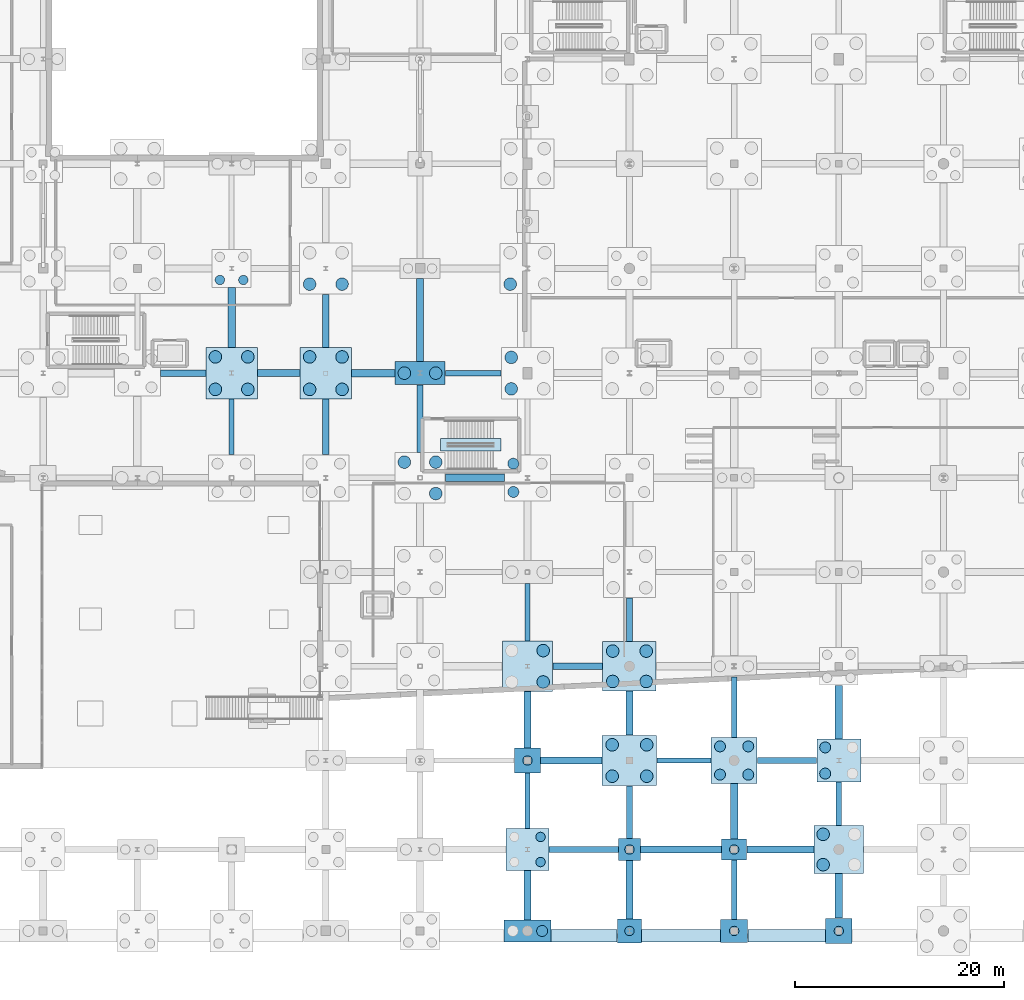
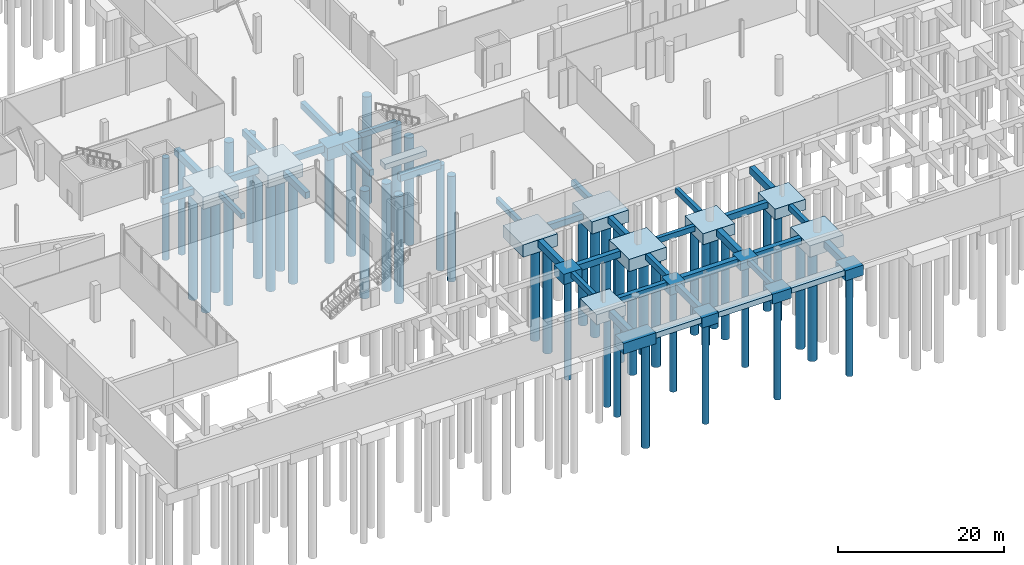
# One storey, part 3 of 60: 53 footings, 49 piles.
"""IFC4 building model written with IfcOpenShell, lengths in metres."""

from ifc_helpers import new_model, si_unit, direction, frame, origin, origin_2d, place, context, subcontext, project, spatial, rectangle, circle, extrude, material, material_profile, profile_set, type_object, element, save


model = new_model("IFC4")

# Units and contexts
model_context = context("Model", 3, precision=1e-05, world=origin(), true_north=direction((0.0, 1.0)))
body_context = subcontext(model_context, "Body", "Model", "MODEL_VIEW")
ifc_project = project(units=[si_unit("LENGTHUNIT", "METRE"), si_unit("AREAUNIT", "SQUARE_METRE"), si_unit("VOLUMEUNIT", "CUBIC_METRE"), si_unit("PLANEANGLEUNIT", "RADIAN"), si_unit("MASSUNIT", "GRAM", prefix="KILO")], contexts=[model_context])

# Site, building, storey
site_placement = place(None, origin())
site = spatial("IfcSite", under=ifc_project, at=site_placement, CompositionType="ELEMENT")
building_placement = place(site_placement, origin())
building = spatial("IfcBuilding", under=site, at=building_placement, Name="Trimount Lyric Opera House", CompositionType="ELEMENT")
storey_placement = place(building_placement, frame((0.0, 0.0, -5.39990234375)))
storey = spatial("IfcBuildingStorey", under=building, at=storey_placement, Name="B1", CompositionType="ELEMENT", Elevation=-5.39990234375)

# Footings
ifc_material_1 = material(Name="Concrete C40/50", Category="concrete")
footing_type_1 = type_object("IfcFootingType", Name="FB-01", PredefinedType="FOOTING_BEAM", material=ifc_material_1)
footing_1_placement = place(storey_placement, frame((36.0, 59.324951171875, -1.60009765625), z_axis=(0.0, 0.0, 1.0), x_axis=(1.0, 0.0, 0.0)))
element("IfcFooting", 1, at=footing_1_placement, inside=storey, type_object=footing_type_1, Name="Ground tie beam Y-0084", PredefinedType="FOOTING_BEAM", context=body_context, shape_type="SweptSolid", body=[
    extrude(rectangle(XDim=0.699951171875, YDim=5.719970703125, at=origin_2d()), origin(), (0.0, 0.0, 1.0), 1.0),
])
footing_2_placement = place(storey_placement, frame((49.52490234375, 54.0, -1.60009765625), z_axis=(0.0, 0.0, 1.0), x_axis=(1.0, 0.0, 0.0)))
element("IfcFooting", 2, at=footing_2_placement, inside=storey, type_object=footing_type_1, Name="Ground tie beam X-0104", PredefinedType="FOOTING_BEAM", context=body_context, shape_type="SweptSolid", body=[
    extrude(rectangle(XDim=4.1201171875, YDim=0.699951171875, at=origin_2d()), origin(), (0.0, 0.0, 1.0), 1.0),
])
footing_3_placement = place(storey_placement, frame((59.22998046875, 44.0, -1.60009765625), z_axis=(0.0, 0.0, 1.0), x_axis=(1.0, 0.0, 0.0)))
element("IfcFooting", 3, at=footing_3_placement, inside=storey, type_object=footing_type_1, Name="Ground tie beam X-0128", PredefinedType="FOOTING_BEAM", context=body_context, shape_type="SweptSolid", body=[
    extrude(rectangle(XDim=5.6298828125, YDim=0.699951171875, at=origin_2d()), origin(), (0.0, 0.0, 1.0), 1.0),
])
footing_4_placement = place(storey_placement, frame((64.260009765625, 4.135009765625, -1.60009765625), z_axis=(0.0, 0.0, 1.0), x_axis=(1.0, 0.0, 0.0)))
element("IfcFooting", 4, at=footing_4_placement, inside=storey, type_object=footing_type_1, Name="Ground tie beam Y-0144", PredefinedType="FOOTING_BEAM", context=body_context, shape_type="SweptSolid", body=[
    extrude(rectangle(XDim=0.699951171875, YDim=4.699951171875, at=origin_2d()), origin(), (0.0, 0.0, 1.0), 1.0),
])
footing_5_placement = place(storey_placement, frame((64.260009765625, 20.89990234375, -1.60009765625), z_axis=(0.0, 0.0, 1.0), x_axis=(1.0, 0.0, 0.0)))
element("IfcFooting", 5, at=footing_5_placement, inside=storey, type_object=footing_type_1, Name="Ground tie beam Y-0148", PredefinedType="FOOTING_BEAM", context=body_context, shape_type="SweptSolid", body=[
    extrude(rectangle(XDim=0.699951171875, YDim=5.3701171875, at=origin_2d()), origin(), (0.0, 0.0, 1.0), 1.0),
])
footing_6_placement = place(storey_placement, frame((78.925048828125, 8.5, -1.60009765625), z_axis=(0.0, 0.0, 1.0), x_axis=(1.0, 0.0, 0.0)))
element("IfcFooting", 6, at=footing_6_placement, inside=storey, type_object=footing_type_1, Name="Ground tie beam X-0168", PredefinedType="FOOTING_BEAM", context=body_context, shape_type="SweptSolid", body=[
    extrude(rectangle(XDim=7.719970703125, YDim=0.699951171875, at=origin_2d()), origin(), (0.0, 0.0, 1.0), 1.0),
])
footing_7_placement = place(storey_placement, frame((84.0, 12.14990234375, -1.60009765625), z_axis=(0.0, 0.0, 1.0), x_axis=(1.0, 0.0, 0.0)))
element("IfcFooting", 7, at=footing_7_placement, inside=storey, type_object=footing_type_1, Name="Ground tie beam Y-0192", PredefinedType="FOOTING_BEAM", context=body_context, shape_type="SweptSolid", body=[
    extrude(rectangle(XDim=0.699951171875, YDim=5.27001953125, at=origin_2d()), origin(), (0.0, 0.0, 1.0), 1.0),
])
footing_8_placement = place(storey_placement, frame((94.0, 4.06005859375, -1.60009765625), z_axis=(0.0, 0.0, 1.0), x_axis=(1.0, 0.0, 0.0)))
element("IfcFooting", 8, at=footing_8_placement, inside=storey, type_object=footing_type_1, Name="Ground tie beam Y-0216", PredefinedType="FOOTING_BEAM", context=body_context, shape_type="SweptSolid", body=[
    extrude(rectangle(XDim=0.699951171875, YDim=4.25, at=origin_2d()), origin(), (0.0, 0.0, 1.0), 1.0),
])
footing_9_placement = place(storey_placement, frame((94.0, 21.625, -1.60009765625), z_axis=(0.0, 0.0, 1.0), x_axis=(1.0, 0.0, 0.0)))
element("IfcFooting", 9, at=footing_9_placement, inside=storey, type_object=footing_type_1, Name="Ground tie beam Y-0220", PredefinedType="FOOTING_BEAM", context=body_context, shape_type="SweptSolid", body=[
    extrude(rectangle(XDim=0.699951171875, YDim=5.1201171875, at=origin_2d()), origin(), (0.0, 0.0, 1.0), 1.0),
])
ifc_material_2 = material(Name="Concrete C40/50", Category="concrete")
footing_type_2 = type_object("IfcFootingType", Name="FB-02", PredefinedType="FOOTING_BEAM", material=ifc_material_2)
footing_10_placement = place(storey_placement, frame((31.375, 54.0, -1.5), z_axis=(0.0, 0.0, 1.0), x_axis=(1.0, 0.0, 0.0)))
element("IfcFooting", 10, at=footing_10_placement, inside=storey, type_object=footing_type_2, Name="Ground tie beam X-0069", PredefinedType="FOOTING_BEAM", context=body_context, shape_type="SweptSolid", body=[
    extrude(rectangle(XDim=4.320068359375, YDim=0.60009765625, at=origin_2d()), origin(), (0.0, 0.0, 1.0), 0.89990234375),
])
footing_11_placement = place(storey_placement, frame((45.0, 59.0, -1.5), z_axis=(0.0, 0.0, 1.0), x_axis=(1.0, 0.0, 0.0)))
element("IfcFooting", 11, at=footing_11_placement, inside=storey, type_object=footing_type_2, Name="Ground tie beam Y-0105", PredefinedType="FOOTING_BEAM", context=body_context, shape_type="SweptSolid", body=[
    extrude(rectangle(XDim=0.60009765625, YDim=5.070068359375, at=origin_2d()), origin(), (0.0, 0.0, 1.0), 0.89990234375),
])
footing_12_placement = place(storey_placement, frame((54.0, 49.64990234375, -1.5), z_axis=(0.0, 0.0, 1.0), x_axis=(1.0, 0.0, 0.0)))
element("IfcFooting", 12, at=footing_12_placement, inside=storey, type_object=footing_type_2, Name="Ground tie beam Y-0129", PredefinedType="FOOTING_BEAM", context=body_context, shape_type="SweptSolid", body=[
    extrude(rectangle(XDim=0.60009765625, YDim=6.469970703125, at=origin_2d()), origin(), (0.0, 0.0, 1.0), 0.89990234375),
])
footing_13_placement = place(storey_placement, frame((69.6298828125, 8.5, -1.5), z_axis=(0.0, 0.0, 1.0), x_axis=(1.0, 0.0, 0.0)))
element("IfcFooting", 13, at=footing_13_placement, inside=storey, type_object=footing_type_2, Name="Ground tie beam X-0145", PredefinedType="FOOTING_BEAM", context=body_context, shape_type="SweptSolid", body=[
    extrude(rectangle(XDim=6.610107421875, YDim=0.60009765625, at=origin_2d()), origin(), (0.0, 0.0, 1.0), 0.89990234375),
])
footing_14_placement = place(storey_placement, frame((69.054931640625, 26.0, -1.5), z_axis=(0.0, 0.0, 1.0), x_axis=(1.0, 0.0, 0.0)))
element("IfcFooting", 14, at=footing_14_placement, inside=storey, type_object=footing_type_2, Name="Ground tie beam X-0149", PredefinedType="FOOTING_BEAM", context=body_context, shape_type="SweptSolid", body=[
    extrude(rectangle(XDim=4.760009765625, YDim=0.60009765625, at=origin_2d()), origin(), (0.0, 0.0, 1.0), 0.89990234375),
])
footing_15_placement = place(storey_placement, frame((74.0, 12.074951171875, -1.5), z_axis=(0.0, 0.0, 1.0), x_axis=(1.0, 0.0, 0.0)))
element("IfcFooting", 15, at=footing_15_placement, inside=storey, type_object=footing_type_2, Name="Ground tie beam Y-0169", PredefinedType="FOOTING_BEAM", context=body_context, shape_type="SweptSolid", body=[
    extrude(rectangle(XDim=0.60009765625, YDim=5.02001953125, at=origin_2d()), origin(), (0.0, 0.0, 1.0), 0.89990234375),
])
footing_16_placement = place(storey_placement, frame((74.0, 30.449951171875, -1.5), z_axis=(0.0, 0.0, 1.0), x_axis=(1.0, 0.0, 0.0)))
element("IfcFooting", 16, at=footing_16_placement, inside=storey, type_object=footing_type_2, Name="Ground tie beam Y-0173", PredefinedType="FOOTING_BEAM", context=body_context, shape_type="SweptSolid", body=[
    extrude(rectangle(XDim=0.60009765625, YDim=4.169921875, at=origin_2d()), origin(), (0.0, 0.0, 1.0), 0.89990234375),
])
footing_17_placement = place(storey_placement, frame((89.050048828125, 17.0, -1.5), z_axis=(0.0, 0.0, 1.0), x_axis=(1.0, 0.0, 0.0)))
element("IfcFooting", 17, at=footing_17_placement, inside=storey, type_object=footing_type_2, Name="Ground tie beam X-0193", PredefinedType="FOOTING_BEAM", context=body_context, shape_type="SweptSolid", body=[
    extrude(rectangle(XDim=5.669921875, YDim=0.60009765625, at=origin_2d()), origin(), (0.0, 0.0, 1.0), 0.89990234375),
])
ifc_material_3 = material(Name="Concrete C40/50", Category="concrete")
footing_type_3 = type_object("IfcFootingType", Name="FB-03", PredefinedType="FOOTING_BEAM", material=ifc_material_3)
footing_18_placement = place(storey_placement, frame((36.0, 48.875, -1.39990234375), z_axis=(0.0, 0.0, 1.0), x_axis=(1.0, 0.0, 0.0)))
element("IfcFooting", 18, at=footing_18_placement, inside=storey, type_object=footing_type_3, Name="Ground tie beam Y-0082", PredefinedType="FOOTING_BEAM", context=body_context, shape_type="SweptSolid", body=[
    extrude(rectangle(XDim=0.5, YDim=5.320068359375, at=origin_2d()), origin(), (0.0, 0.0, 1.0), 0.800048828125),
])
footing_19_placement = place(storey_placement, frame((59.080078125, 54.0, -1.39990234375), z_axis=(0.0, 0.0, 1.0), x_axis=(1.0, 0.0, 0.0)))
element("IfcFooting", 19, at=footing_19_placement, inside=storey, type_object=footing_type_3, Name="Ground tie beam X-0130", PredefinedType="FOOTING_BEAM", context=body_context, shape_type="SweptSolid", body=[
    extrude(rectangle(XDim=5.330078125, YDim=0.5, at=origin_2d()), origin(), (0.0, 0.0, 1.0), 0.800048828125),
])
footing_20_placement = place(storey_placement, frame((64.260009765625, 13.14990234375, -1.39990234375), z_axis=(0.0, 0.0, 1.0), x_axis=(1.0, 0.0, 0.0)))
element("IfcFooting", 20, at=footing_20_placement, inside=storey, type_object=footing_type_3, Name="Ground tie beam Y-0146", PredefinedType="FOOTING_BEAM", context=body_context, shape_type="SweptSolid", body=[
    extrude(rectangle(XDim=0.5, YDim=5.27001953125, at=origin_2d()), origin(), (0.0, 0.0, 1.0), 0.800048828125),
])
footing_21_placement = place(storey_placement, frame((64.260009765625, 31.14990234375, -1.39990234375), z_axis=(0.0, 0.0, 1.0), x_axis=(1.0, 0.0, 0.0)))
element("IfcFooting", 21, at=footing_21_placement, inside=storey, type_object=footing_type_3, Name="Ground tie beam Y-0150", PredefinedType="FOOTING_BEAM", context=body_context, shape_type="SweptSolid", body=[
    extrude(rectangle(XDim=0.5, YDim=5.469970703125, at=origin_2d()), origin(), (0.0, 0.0, 1.0), 0.800048828125),
])
footing_22_placement = place(storey_placement, frame((79.199951171875, 17.0, -1.39990234375), z_axis=(0.0, 0.0, 1.0), x_axis=(1.0, 0.0, 0.0)))
element("IfcFooting", 22, at=footing_22_placement, inside=storey, type_object=footing_type_3, Name="Ground tie beam X-0170", PredefinedType="FOOTING_BEAM", context=body_context, shape_type="SweptSolid", body=[
    extrude(rectangle(XDim=5.169921875, YDim=0.5, at=origin_2d()), origin(), (0.0, 0.0, 1.0), 0.800048828125),
])
footing_23_placement = place(storey_placement, frame((84.0, 4.659912109375, -1.39990234375), z_axis=(0.0, 0.0, 1.0), x_axis=(1.0, 0.0, 0.0)))
element("IfcFooting", 23, at=footing_23_placement, inside=storey, type_object=footing_type_3, Name="Ground tie beam Y-0190", PredefinedType="FOOTING_BEAM", context=body_context, shape_type="SweptSolid", body=[
    extrude(rectangle(XDim=0.5, YDim=5.64990234375, at=origin_2d()), origin(), (0.0, 0.0, 1.0), 0.800048828125),
])
footing_24_placement = place(storey_placement, frame((84.0, 22.10009765625, -1.39990234375), z_axis=(0.0, 0.0, 1.0), x_axis=(1.0, 0.0, 0.0)))
element("IfcFooting", 24, at=footing_24_placement, inside=storey, type_object=footing_type_3, Name="Ground tie beam Y-0194", PredefinedType="FOOTING_BEAM", context=body_context, shape_type="SweptSolid", body=[
    extrude(rectangle(XDim=0.5, YDim=5.77001953125, at=origin_2d()), origin(), (0.0, 0.0, 1.0), 0.800048828125),
])
footing_25_placement = place(storey_placement, frame((94.0, 12.875, -1.39990234375), z_axis=(0.0, 0.0, 1.0), x_axis=(1.0, 0.0, 0.0)))
element("IfcFooting", 25, at=footing_25_placement, inside=storey, type_object=footing_type_3, Name="Ground tie beam Y-0218", PredefinedType="FOOTING_BEAM", context=body_context, shape_type="SweptSolid", body=[
    extrude(rectangle(XDim=0.5, YDim=4.1201171875, at=origin_2d()), origin(), (0.0, 0.0, 1.0), 0.800048828125),
])
ifc_material_4 = material(Name="Concrete C40/50", Category="concrete")
footing_type_4 = type_object("IfcFootingType", Name="FB-04", PredefinedType="FOOTING_BEAM", material=ifc_material_4)
footing_26_placement = place(storey_placement, frame((40.5, 54.0, -1.55029296875), z_axis=(0.0, 0.0, 1.0), x_axis=(1.0, 0.0, 0.0)))
element("IfcFooting", 26, at=footing_26_placement, inside=storey, type_object=footing_type_4, Name="Ground tie beam X-0083", PredefinedType="FOOTING_BEAM", context=body_context, shape_type="SweptSolid", body=[
    extrude(rectangle(XDim=4.070068359375, YDim=0.64990234375, at=origin_2d()), origin(), (0.0, 0.0, 1.0), 0.949951171875),
])
footing_27_placement = place(storey_placement, frame((45.0, 48.875, -1.55029296875), z_axis=(0.0, 0.0, 1.0), x_axis=(1.0, 0.0, 0.0)))
element("IfcFooting", 27, at=footing_27_placement, inside=storey, type_object=footing_type_4, Name="Ground tie beam Y-0103", PredefinedType="FOOTING_BEAM", context=body_context, shape_type="SweptSolid", body=[
    extrude(rectangle(XDim=0.64990234375, YDim=5.320068359375, at=origin_2d()), origin(), (0.0, 0.0, 1.0), 0.949951171875),
])
footing_28_placement = place(storey_placement, frame((54.0, 59.074951171875, -1.55029296875), z_axis=(0.0, 0.0, 1.0), x_axis=(1.0, 0.0, 0.0)))
element("IfcFooting", 28, at=footing_28_placement, inside=storey, type_object=footing_type_4, Name="Ground tie beam Y-0131", PredefinedType="FOOTING_BEAM", context=body_context, shape_type="SweptSolid", body=[
    extrude(rectangle(XDim=0.64990234375, YDim=7.919921875, at=origin_2d()), origin(), (0.0, 0.0, 1.0), 0.949951171875),
])
footing_29_placement = place(storey_placement, frame((68.455078125, 17.0, -1.55029296875), z_axis=(0.0, 0.0, 1.0), x_axis=(1.0, 0.0, 0.0)))
element("IfcFooting", 29, at=footing_29_placement, inside=storey, type_object=footing_type_4, Name="Ground tie beam X-0147", PredefinedType="FOOTING_BEAM", context=body_context, shape_type="SweptSolid", body=[
    extrude(rectangle(XDim=5.860107421875, YDim=0.64990234375, at=origin_2d()), origin(), (0.0, 0.0, 1.0), 0.949951171875),
])
footing_30_placement = place(storey_placement, frame((74.0, 4.659912109375, -1.55029296875), z_axis=(0.0, 0.0, 1.0), x_axis=(1.0, 0.0, 0.0)))
element("IfcFooting", 30, at=footing_30_placement, inside=storey, type_object=footing_type_4, Name="Ground tie beam Y-0167", PredefinedType="FOOTING_BEAM", context=body_context, shape_type="SweptSolid", body=[
    extrude(rectangle(XDim=0.64990234375, YDim=5.550048828125, at=origin_2d()), origin(), (0.0, 0.0, 1.0), 0.949951171875),
])
footing_31_placement = place(storey_placement, frame((74.0, 21.52490234375, -1.55029296875), z_axis=(0.0, 0.0, 1.0), x_axis=(1.0, 0.0, 0.0)))
element("IfcFooting", 31, at=footing_31_placement, inside=storey, type_object=footing_type_4, Name="Ground tie beam Y-0171", PredefinedType="FOOTING_BEAM", context=body_context, shape_type="SweptSolid", body=[
    extrude(rectangle(XDim=0.64990234375, YDim=4.219970703125, at=origin_2d()), origin(), (0.0, 0.0, 1.0), 0.949951171875),
])
footing_32_placement = place(storey_placement, frame((88.425048828125, 8.5, -1.55029296875), z_axis=(0.0, 0.0, 1.0), x_axis=(1.0, 0.0, 0.0)))
element("IfcFooting", 32, at=footing_32_placement, inside=storey, type_object=footing_type_4, Name="Ground tie beam X-0191", PredefinedType="FOOTING_BEAM", context=body_context, shape_type="SweptSolid", body=[
    extrude(rectangle(XDim=6.419921875, YDim=0.64990234375, at=origin_2d()), origin(), (0.0, 0.0, 1.0), 0.949951171875),
])
ifc_material_5 = material(Name="Concrete C40/50", Category="concrete")
footing_type_5 = type_object("IfcFootingType", Name="PC-01", PredefinedType="PILE_CAP", material=ifc_material_5)
for number, where, z_axis, x_axis, name in (
    (33, (36.0, 54.0, -2.39990234375), (0.0, 0.0, 1.0), (1.0, 0.0, 0.0), "Pile cap 5/G"),
    (34, (45.0, 54.0, -2.39990234375), (0.0, 0.0, 1.0), (1.0, 0.0, 0.0), "Pile cap 6/G"),
):
    element("IfcFooting", number, at=place(storey_placement, frame(where, z_axis=z_axis, x_axis=x_axis)), inside=storey, type_object=footing_type_5, Name=name, PredefinedType="PILE_CAP", context=body_context, shape_type="SweptSolid", body=[
        extrude(rectangle(XDim=4.89990234375, YDim=4.89990234375, at=origin_2d()), origin(), (0.0, 0.0, 1.0), 1.800048828125),
    ])
ifc_material_6 = material(Name="Concrete C40/50", Category="concrete")
footing_type_6 = type_object("IfcFootingType", Name="PC-02", PredefinedType="PILE_CAP", material=ifc_material_6)
footing_33_placement = place(storey_placement, frame((64.260009765625, 26.0, -2.39990234375), z_axis=(0.0, 0.0, 1.0), x_axis=(1.0, 0.0, 0.0)))
element("IfcFooting", 35, at=footing_33_placement, inside=storey, type_object=footing_type_6, Name="Pile cap 8/D", PredefinedType="PILE_CAP", context=body_context, shape_type="SweptSolid", body=[
    extrude(rectangle(XDim=4.800048828125, YDim=4.800048828125, at=origin_2d()), origin(), (0.0, 0.0, 1.0), 1.800048828125),
])
ifc_material_7 = material(Name="Concrete C40/50", Category="concrete")
footing_type_7 = type_object("IfcFootingType", Name="PC-03", PredefinedType="PILE_CAP", material=ifc_material_7)
footing_34_placement = place(storey_placement, frame((54.0, 54.0, -2.39990234375), z_axis=(0.0, 0.0, 1.0), x_axis=(1.0, 0.0, 0.0)))
element("IfcFooting", 36, at=footing_34_placement, inside=storey, type_object=footing_type_7, Name="Pile cap 7/G", PredefinedType="PILE_CAP", context=body_context, shape_type="SweptSolid", body=[
    extrude(rectangle(XDim=4.800048828125, YDim=2.199951171875, at=origin_2d()), origin(), (0.0, 0.0, 1.0), 1.800048828125),
])
ifc_material_8 = material(Name="Concrete C40/50", Category="concrete")
footing_type_8 = type_object("IfcFootingType", Name="PC-04", PredefinedType="PILE_CAP", material=ifc_material_8)
footing_35_placement = place(storey_placement, frame((84.0, 17.0, -2.2001953125), z_axis=(0.0, 0.0, 1.0), x_axis=(1.0, 0.0, 0.0)))
element("IfcFooting", 37, at=footing_35_placement, inside=storey, type_object=footing_type_8, Name="Pile cap 10/C", PredefinedType="PILE_CAP", context=body_context, shape_type="SweptSolid", body=[
    extrude(rectangle(XDim=4.39990234375, YDim=4.39990234375, at=origin_2d()), origin(), (0.0, 0.0, 1.0), 1.60009765625),
])
ifc_material_9 = material(Name="Concrete C40/50", Category="concrete")
footing_type_9 = type_object("IfcFootingType", Name="PC-08", PredefinedType="PILE_CAP", material=ifc_material_9)
footing_36_placement = place(storey_placement, frame((74.0, 0.719970703125, -2.10009765625), z_axis=(0.0, 0.0, 1.0), x_axis=(1.0, 0.0, 0.0)))
element("IfcFooting", 38, at=footing_36_placement, inside=storey, type_object=footing_type_9, Name="Pile cap 9/A", PredefinedType="PILE_CAP", context=body_context, shape_type="SweptSolid", body=[
    extrude(rectangle(XDim=2.300048828125, YDim=2.300048828125, at=origin_2d()), origin(), (0.0, 0.0, 1.0), 1.5),
])
ifc_material_10 = material(Name="Concrete C40/50", Category="concrete")
footing_type_10 = type_object("IfcFootingType", Name="PC-09", PredefinedType="PILE_CAP", material=ifc_material_10)
footing_37_placement = place(storey_placement, frame((74.0, 8.5, -2.10009765625), z_axis=(0.0, 0.0, 1.0), x_axis=(1.0, 0.0, 0.0)))
element("IfcFooting", 39, at=footing_37_placement, inside=storey, type_object=footing_type_10, Name="Pile cap 9/B", PredefinedType="PILE_CAP", context=body_context, shape_type="SweptSolid", body=[
    extrude(rectangle(XDim=2.10009765625, YDim=2.10009765625, at=origin_2d()), origin(), (0.0, 0.0, 1.0), 1.5),
])
ifc_material_11 = material(Name="Concrete C40/50", Category="concrete")
footing_type_11 = type_object("IfcFootingType", Name="PC-10", PredefinedType="PILE_CAP", material=ifc_material_11)
footing_38_placement = place(storey_placement, frame((74.0, 17.0, -2.39990234375), z_axis=(0.0, 0.0, 1.0), x_axis=(1.0, 0.0, 0.0)))
element("IfcFooting", 40, at=footing_38_placement, inside=storey, type_object=footing_type_11, Name="Pile cap 9/C", PredefinedType="PILE_CAP", context=body_context, shape_type="SweptSolid", body=[
    extrude(rectangle(XDim=5.199951171875, YDim=4.800048828125, at=origin_2d()), origin(), (0.0, 0.0, 1.0), 1.800048828125),
])
ifc_material_12 = material(Name="Concrete C40/50", Category="concrete")
footing_type_12 = type_object("IfcFootingType", Name="PC-11", PredefinedType="PILE_CAP", material=ifc_material_12)
footing_39_placement = place(storey_placement, frame((74.0, 26.0, -2.39990234375), z_axis=(0.0, 0.0, 1.0), x_axis=(1.0, 0.0, 0.0)))
element("IfcFooting", 41, at=footing_39_placement, inside=storey, type_object=footing_type_12, Name="Pile cap 9/D", PredefinedType="PILE_CAP", context=body_context, shape_type="SweptSolid", body=[
    extrude(rectangle(XDim=5.10009765625, YDim=4.699951171875, at=origin_2d()), origin(), (0.0, 0.0, 1.0), 1.800048828125),
])
ifc_material_13 = material(Name="Concrete C40/50", Category="concrete")
footing_type_13 = type_object("IfcFootingType", Name="PC-14", PredefinedType="PILE_CAP", material=ifc_material_13)
footing_40_placement = place(storey_placement, frame((64.260009765625, 0.719970703125, -2.2001953125), z_axis=(0.0, 0.0, 1.0), x_axis=(1.0, 0.0, 0.0)))
element("IfcFooting", 42, at=footing_40_placement, inside=storey, type_object=footing_type_13, Name="Pile cap 8/A", PredefinedType="PILE_CAP", context=body_context, shape_type="SweptSolid", body=[
    extrude(rectangle(XDim=4.5, YDim=2.10009765625, at=origin_2d()), origin(), (0.0, 0.0, 1.0), 1.60009765625),
])
ifc_material_14 = material(Name="Concrete C40/50", Category="concrete")
footing_type_14 = type_object("IfcFootingType", Name="PC-15", PredefinedType="PILE_CAP", material=ifc_material_14)
footing_41_placement = place(storey_placement, frame((64.260009765625, 8.5, -2.10009765625), z_axis=(0.0, 0.0, 1.0), x_axis=(1.0, 0.0, 0.0)))
element("IfcFooting", 43, at=footing_41_placement, inside=storey, type_object=footing_type_14, Name="Pile cap 8/B", PredefinedType="PILE_CAP", context=body_context, shape_type="SweptSolid", body=[
    extrude(rectangle(XDim=4.10009765625, YDim=4.0, at=origin_2d()), origin(), (0.0, 0.0, 1.0), 1.5),
])
ifc_material_15 = material(Name="Concrete C40/50", Category="concrete")
footing_type_15 = type_object("IfcFootingType", Name="PC-16", PredefinedType="PILE_CAP", material=ifc_material_15)
for number, where, z_axis, x_axis, name in (
    (44, (64.260009765625, 17.0, -2.10009765625), (0.0, 0.0, 1.0), (1.0, 0.0, 0.0), "Pile cap 8/C"),
    (45, (94.0, 0.719970703125, -2.10009765625), (0.0, 0.0, 1.0), (1.0, 0.0, 0.0), "Pile cap 11/A"),
):
    element("IfcFooting", number, at=place(storey_placement, frame(where, z_axis=z_axis, x_axis=x_axis)), inside=storey, type_object=footing_type_15, Name=name, PredefinedType="PILE_CAP", context=body_context, shape_type="SweptSolid", body=[
        extrude(rectangle(XDim=2.5, YDim=2.39990234375, at=origin_2d()), origin(), (0.0, 0.0, 1.0), 1.5),
    ])
ifc_material_16 = material(Name="Concrete C40/50", Category="concrete")
footing_type_16 = type_object("IfcFootingType", Name="PC-17", PredefinedType="PILE_CAP", material=ifc_material_16)
footing_42_placement = place(storey_placement, frame((94.0, 8.5, -2.30029296875), z_axis=(0.0, 0.0, 1.0), x_axis=(1.0, 0.0, 0.0)))
element("IfcFooting", 46, at=footing_42_placement, inside=storey, type_object=footing_type_16, Name="Pile cap 11/B", PredefinedType="PILE_CAP", context=body_context, shape_type="SweptSolid", body=[
    extrude(rectangle(XDim=4.699951171875, YDim=4.60009765625, at=origin_2d()), origin(), (0.0, 0.0, 1.0), 1.699951171875),
])
ifc_material_17 = material(Name="Concrete C40/50", Category="concrete")
footing_type_17 = type_object("IfcFootingType", Name="PC-18", PredefinedType="PILE_CAP", material=ifc_material_17)
footing_43_placement = place(storey_placement, frame((94.0, 17.0, -2.14990234375), z_axis=(0.0, 0.0, 1.0), x_axis=(1.0, 0.0, 0.0)))
element("IfcFooting", 47, at=footing_43_placement, inside=storey, type_object=footing_type_17, Name="Pile cap 11/C", PredefinedType="PILE_CAP", context=body_context, shape_type="SweptSolid", body=[
    extrude(rectangle(XDim=4.199951171875, YDim=4.10009765625, at=origin_2d()), origin(), (0.0, 0.0, 1.0), 1.550048828125),
])
ifc_material_18 = material(Name="Concrete C40/50", Category="concrete")
footing_type_18 = type_object("IfcFootingType", Name="PC-21", PredefinedType="PILE_CAP", material=ifc_material_18)
footing_44_placement = place(storey_placement, frame((84.0, 0.719970703125, -2.05029296875), z_axis=(0.0, 0.0, 1.0), x_axis=(1.0, 0.0, 0.0)))
element("IfcFooting", 48, at=footing_44_placement, inside=storey, type_object=footing_type_18, Name="Pile cap 10/A", PredefinedType="PILE_CAP", context=body_context, shape_type="SweptSolid", body=[
    extrude(rectangle(XDim=2.60009765625, YDim=2.199951171875, at=origin_2d()), origin(), (0.0, 0.0, 1.0), 1.449951171875),
])
ifc_material_19 = material(Name="Concrete C40/50", Category="concrete")
footing_type_19 = type_object("IfcFootingType", Name="PC-22", PredefinedType="PILE_CAP", material=ifc_material_19)
footing_45_placement = place(storey_placement, frame((84.0, 8.5, -2.0), z_axis=(0.0, 0.0, 1.0), x_axis=(1.0, 0.0, 0.0)))
element("IfcFooting", 49, at=footing_45_placement, inside=storey, type_object=footing_type_19, Name="Pile cap 10/B", PredefinedType="PILE_CAP", context=body_context, shape_type="SweptSolid", body=[
    extrude(rectangle(XDim=2.39990234375, YDim=2.0, at=origin_2d()), origin(), (0.0, 0.0, 1.0), 1.39990234375),
])

# Piles
ifc_material_20 = material(Name="Concrete C40/50", Category="concrete")
ifc_material_profile_1 = material_profile(ifc_material_20, circle(Radius=0.52490234375, at=origin_2d()), Name="PILE-D1050")
ifc_profile_set_1 = profile_set([ifc_material_profile_1], Name="Concrete C40/50")
pile_type_1 = type_object("IfcPileType", Name="PL-1050", PredefinedType="BORED", material=ifc_profile_set_1)
for number, where, z_axis, x_axis, name in (
    (50, (65.659912109375, 0.719970703125, -2.10009765625), (0.0, 0.0, -1.0), (1.0, 0.0, 0.0), "Bored pile 0251"),
    (51, (62.909912109375, 42.64990234375, -2.10009765625), (0.0, 0.0, -1.0), (1.0, 0.0, 0.0), "Bored pile 0263"),
    (52, (62.909912109375, 45.35009765625, -2.10009765625), (0.0, 0.0, -1.0), (1.0, 0.0, 0.0), "Bored pile 0265"),
    (53, (82.64990234375, 15.64990234375, -2.10009765625), (0.0, 0.0, -1.0), (1.0, 0.0, 0.0), "Bored pile 0340"),
    (54, (85.35009765625, 15.64990234375, -2.10009765625), (0.0, 0.0, -1.0), (1.0, 0.0, 0.0), "Bored pile 0341"),
    (55, (82.64990234375, 18.35009765625, -2.10009765625), (0.0, 0.0, -1.0), (1.0, 0.0, 0.0), "Bored pile 0342"),
    (56, (85.35009765625, 18.35009765625, -2.10009765625), (0.0, 0.0, -1.0), (1.0, 0.0, 0.0), "Bored pile 0343"),
    (57, (92.699951171875, 15.75, -2.050048828125), (0.0, 0.0, -1.0), (1.0, 0.0, 0.0), "Bored pile 0384"),
    (58, (92.699951171875, 18.25, -2.050048828125), (0.0, 0.0, -1.0), (1.0, 0.0, 0.0), "Bored pile 0386"),
):
    element("IfcPile", number, at=place(storey_placement, frame(where, z_axis=z_axis, x_axis=x_axis)), inside=storey, type_object=pile_type_1, Name=name, PredefinedType="BORED", context=body_context, shape_type="SweptSolid", body=[
        extrude(circle(Radius=0.52490234375, at=origin_2d()), origin(), (0.0, 0.0, 1.0), 15.5),
    ])
ifc_material_21 = material(Name="Concrete C40/50", Category="concrete")
ifc_material_profile_2 = material_profile(ifc_material_21, circle(Radius=0.60009765625, at=origin_2d()), Name="PILE-D1200")
ifc_profile_set_2 = profile_set([ifc_material_profile_2], Name="Concrete C40/50")
pile_type_2 = type_object("IfcPileType", Name="PL-1200", PredefinedType="BORED", material=ifc_profile_set_2)
for number, where, z_axis, x_axis, name in (
    (59, (34.449951171875, 52.449951171875, -2.300048828125), (0.0, 0.0, -1.0), (1.0, 0.0, 0.0), "Bored pile 0148"),
    (60, (37.550048828125, 52.449951171875, -2.300048828125), (0.0, 0.0, -1.0), (1.0, 0.0, 0.0), "Bored pile 0149"),
    (61, (34.449951171875, 55.550048828125, -2.300048828125), (0.0, 0.0, -1.0), (1.0, 0.0, 0.0), "Bored pile 0150"),
    (62, (37.550048828125, 55.550048828125, -2.300048828125), (0.0, 0.0, -1.0), (1.0, 0.0, 0.0), "Bored pile 0151"),
    (63, (43.449951171875, 52.449951171875, -2.300048828125), (0.0, 0.0, -1.0), (1.0, 0.0, 0.0), "Bored pile 0182"),
    (64, (46.550048828125, 52.449951171875, -2.300048828125), (0.0, 0.0, -1.0), (1.0, 0.0, 0.0), "Bored pile 0183"),
    (65, (43.449951171875, 55.550048828125, -2.300048828125), (0.0, 0.0, -1.0), (1.0, 0.0, 0.0), "Bored pile 0184"),
    (66, (46.550048828125, 55.550048828125, -2.300048828125), (0.0, 0.0, -1.0), (1.0, 0.0, 0.0), "Bored pile 0185"),
    (67, (43.449951171875, 62.5, -2.300048828125), (0.0, 0.0, -1.0), (1.0, 0.0, 0.0), "Bored pile 0186"),
    (68, (46.550048828125, 62.5, -2.300048828125), (0.0, 0.0, -1.0), (1.0, 0.0, 0.0), "Bored pile 0187"),
    (69, (55.5, 42.5, -2.300048828125), (0.0, 0.0, -1.0), (1.0, 0.0, 0.0), "Bored pile 0225"),
    (70, (52.5, 45.5, -2.300048828125), (0.0, 0.0, -1.0), (1.0, 0.0, 0.0), "Bored pile 0226"),
    (71, (55.5, 45.5, -2.300048828125), (0.0, 0.0, -1.0), (1.0, 0.0, 0.0), "Bored pile 0227"),
    (72, (52.5, 54.0, -2.300048828125), (0.0, 0.0, -1.0), (1.0, 0.0, 0.0), "Bored pile 0228"),
    (73, (55.5, 54.0, -2.300048828125), (0.0, 0.0, -1.0), (1.0, 0.0, 0.0), "Bored pile 0229"),
    (74, (65.760009765625, 24.5, -2.300048828125), (0.0, 0.0, -1.0), (1.0, 0.0, 0.0), "Bored pile 0258"),
    (75, (65.760009765625, 27.5, -2.300048828125), (0.0, 0.0, -1.0), (1.0, 0.0, 0.0), "Bored pile 0260"),
    (76, (62.7099609375, 52.5, -2.300048828125), (0.0, 0.0, -1.0), (1.0, 0.0, 0.0), "Bored pile 0267"),
    (77, (62.7099609375, 55.5, -2.300048828125), (0.0, 0.0, -1.0), (1.0, 0.0, 0.0), "Bored pile 0269"),
    (78, (62.610107421875, 62.5, -2.300048828125), (0.0, 0.0, -1.0), (1.0, 0.0, 0.0), "Bored pile 0271"),
    (79, (72.35009765625, 15.5, -2.300048828125), (0.0, 0.0, -1.0), (1.0, 0.0, 0.0), "Bored pile 0297"),
    (80, (75.64990234375, 15.5, -2.300048828125), (0.0, 0.0, -1.0), (1.0, 0.0, 0.0), "Bored pile 0298"),
    (81, (72.35009765625, 18.5, -2.300048828125), (0.0, 0.0, -1.0), (1.0, 0.0, 0.0), "Bored pile 0299"),
    (82, (75.64990234375, 18.5, -2.300048828125), (0.0, 0.0, -1.0), (1.0, 0.0, 0.0), "Bored pile 0300"),
    (83, (72.39990234375, 24.550048828125, -2.300048828125), (0.0, 0.0, -1.0), (1.0, 0.0, 0.0), "Bored pile 0301"),
    (84, (75.60009765625, 24.550048828125, -2.300048828125), (0.0, 0.0, -1.0), (1.0, 0.0, 0.0), "Bored pile 0302"),
    (85, (72.39990234375, 27.449951171875, -2.300048828125), (0.0, 0.0, -1.0), (1.0, 0.0, 0.0), "Bored pile 0303"),
    (86, (75.60009765625, 27.449951171875, -2.300048828125), (0.0, 0.0, -1.0), (1.0, 0.0, 0.0), "Bored pile 0304"),
    (87, (92.5, 7.050048828125, -2.2001953125), (0.0, 0.0, -1.0), (1.0, 0.0, 0.0), "Bored pile 0380"),
    (88, (92.5, 9.949951171875, -2.2001953125), (0.0, 0.0, -1.0), (1.0, 0.0, 0.0), "Bored pile 0382"),
):
    element("IfcPile", number, at=place(storey_placement, frame(where, z_axis=z_axis, x_axis=x_axis)), inside=storey, type_object=pile_type_2, Name=name, PredefinedType="BORED", context=body_context, shape_type="SweptSolid", body=[
        extrude(circle(Radius=0.60009765625, at=origin_2d()), origin(), (0.0, 0.0, 1.0), 15.800048828125),
    ])
ifc_material_22 = material(Name="Concrete C40/50", Category="concrete")
ifc_material_profile_3 = material_profile(ifc_material_22, circle(Radius=0.449951171875, at=origin_2d()), Name="PILE-D900")
ifc_profile_set_3 = profile_set([ifc_material_profile_3], Name="Concrete C40/50")
pile_type_3 = type_object("IfcPileType", Name="PL-900", PredefinedType="BORED", material=ifc_profile_set_3)
for number, where, z_axis, x_axis, name in (
    (89, (34.8798828125, 62.89990234375, -1.9501953125), (0.0, 0.0, -1.0), (1.0, 0.0, 0.0), "Bored pile 0152"),
    (90, (37.1201171875, 62.89990234375, -1.9501953125), (0.0, 0.0, -1.0), (1.0, 0.0, 0.0), "Bored pile 0153"),
    (91, (65.510009765625, 7.300048828125, -2.0), (0.0, 0.0, -1.0), (1.0, 0.0, 0.0), "Bored pile 0253"),
    (92, (65.510009765625, 9.699951171875, -2.0), (0.0, 0.0, -1.0), (1.0, 0.0, 0.0), "Bored pile 0255"),
    (93, (64.260009765625, 17.0, -2.0), (0.0, 0.0, -1.0), (1.0, 0.0, 0.0), "Bored pile 0256"),
    (94, (74.0, 0.719970703125, -2.0), (0.0, 0.0, -1.0), (1.0, 0.0, 0.0), "Bored pile 0295"),
    (95, (74.0, 8.5, -2.0), (0.0, 0.0, -1.0), (1.0, 0.0, 0.0), "Bored pile 0296"),
    (96, (84.0, 0.719970703125, -1.9501953125), (0.0, 0.0, -1.0), (1.0, 0.0, 0.0), "Bored pile 0338"),
    (97, (84.0, 8.5, -1.900146484375), (0.0, 0.0, -1.0), (1.0, 0.0, 0.0), "Bored pile 0339"),
    (98, (94.0, 0.719970703125, -2.0), (0.0, 0.0, -1.0), (1.0, 0.0, 0.0), "Bored pile 0379"),
):
    element("IfcPile", number, at=place(storey_placement, frame(where, z_axis=z_axis, x_axis=x_axis)), inside=storey, type_object=pile_type_3, Name=name, PredefinedType="BORED", context=body_context, shape_type="SweptSolid", body=[
        extrude(circle(Radius=0.449951171875, at=origin_2d()), origin(), (0.0, 0.0, 1.0), 15.0),
    ])

# Footings
ifc_material_23 = material(Name="Concrete C40/50", Category="concrete")
footing_type_20 = type_object("IfcFootingType", Name="SF-02", PredefinedType="STRIP_FOOTING", material=ifc_material_23)
footing_46_placement = place(storey_placement, frame((58.85009765625, 47.14990234375, -1.39990234375), z_axis=(0.0, 0.0, 1.0), x_axis=(1.0, 0.0, 0.0)))
element("IfcFooting", 99, at=footing_46_placement, inside=storey, type_object=footing_type_20, Name="Core strip footing SF-K7", PredefinedType="STRIP_FOOTING", context=body_context, shape_type="SweptSolid", body=[
    extrude(rectangle(XDim=5.800048828125, YDim=1.199951171875, at=origin_2d()), origin(), (0.0, 0.0, 1.0), 0.800048828125),
])
footing_47_placement = place(storey_placement, frame((69.679931640625, 0.25, -1.39990234375), z_axis=(0.0, 0.0, 1.0), x_axis=(1.0, 0.0, 0.0)))
element("IfcFooting", 100, at=footing_47_placement, inside=storey, type_object=footing_type_20, Name="Plaza perimeter plinth strip footing PLINTH-S1 seg 8", PredefinedType="STRIP_FOOTING", context=body_context, shape_type="SweptSolid", body=[
    extrude(rectangle(XDim=6.31005859375, YDim=1.199951171875, at=origin_2d()), origin(), (0.0, 0.0, 1.0), 0.800048828125),
])
footing_48_placement = place(storey_placement, frame((78.925048828125, 0.25, -1.39990234375), z_axis=(0.0, 0.0, 1.0), x_axis=(1.0, 0.0, 0.0)))
element("IfcFooting", 101, at=footing_48_placement, inside=storey, type_object=footing_type_20, Name="Plaza perimeter plinth strip footing PLINTH-S1 seg 9", PredefinedType="STRIP_FOOTING", context=body_context, shape_type="SweptSolid", body=[
    extrude(rectangle(XDim=7.52001953125, YDim=1.199951171875, at=origin_2d()), origin(), (0.0, 0.0, 1.0), 0.800048828125),
])
footing_49_placement = place(storey_placement, frame((89.02490234375, 0.25, -1.39990234375), z_axis=(0.0, 0.0, 1.0), x_axis=(1.0, 0.0, 0.0)))
element("IfcFooting", 102, at=footing_49_placement, inside=storey, type_object=footing_type_20, Name="Plaza perimeter plinth strip footing PLINTH-S1 seg 10", PredefinedType="STRIP_FOOTING", context=body_context, shape_type="SweptSolid", body=[
    extrude(rectangle(XDim=7.419921875, YDim=1.199951171875, at=origin_2d()), origin(), (0.0, 0.0, 1.0), 0.800048828125),
])

save(model, "model.ifc")
